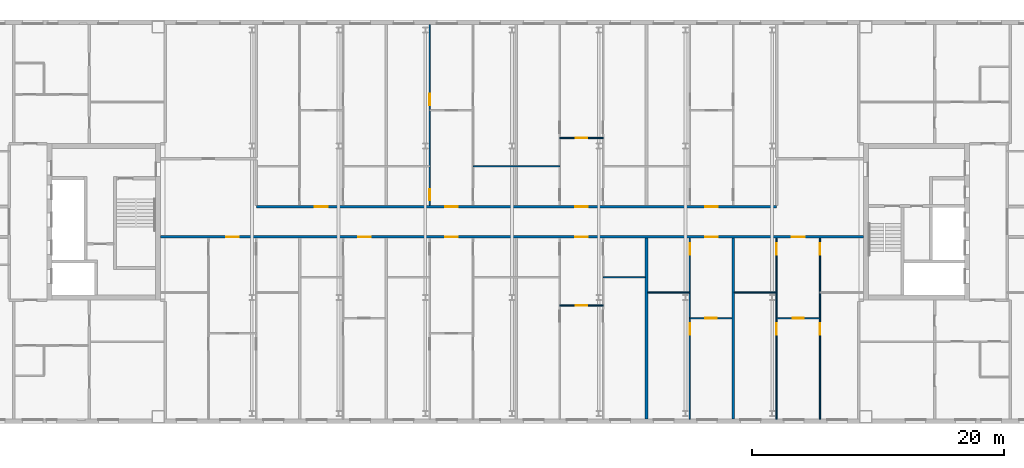
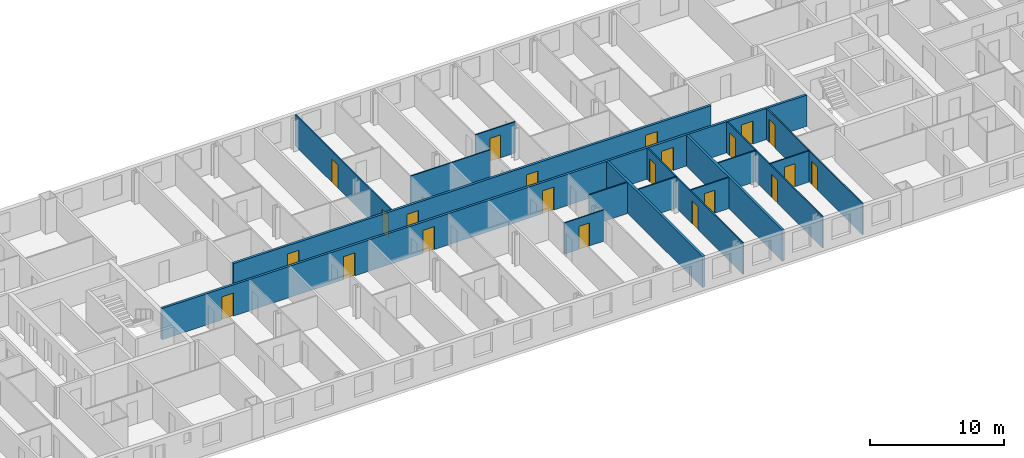
# One storey, part 11 of 19: 22 doors, 16 walls, 22 openings.
"""IFC4 building model written with IfcOpenShell, lengths in metres."""

from ifc_helpers import new_model, si_unit, direction, frame, frame_2d, origin, place, context, subcontext, project, spatial, rectangle, extrude, material, layer, layer_set, type_object, element, fill, save


model = new_model("IFC4")

# Units and contexts
model_context = context("Model", 3, precision=1e-05, world=origin(), true_north=direction((0.0, 1.0)))
body_context = subcontext(model_context, "Body", "Model", "MODEL_VIEW")
ifc_project = project(units=[si_unit("LENGTHUNIT", "METRE"), si_unit("AREAUNIT", "SQUARE_METRE"), si_unit("VOLUMEUNIT", "CUBIC_METRE"), si_unit("PLANEANGLEUNIT", "RADIAN"), si_unit("MASSUNIT", "GRAM", prefix="KILO")], contexts=[model_context])

# Site, building, storey
site_placement = place(None, origin())
site = spatial("IfcSite", under=ifc_project, at=site_placement, CompositionType="ELEMENT")
building_placement = place(site_placement, origin())
building = spatial("IfcBuilding", under=site, at=building_placement, Name="Tuart Gate Housing", CompositionType="ELEMENT")
storey_placement = place(building_placement, frame((0.0, 0.0, 212.10009765625)))
storey = spatial("IfcBuildingStorey", under=building, at=storey_placement, Name="L60", CompositionType="ELEMENT", Elevation=212.10009765625)

# Wall, openings, doors
ifc_material_1 = material(Name="Concrete masonry 15 MPa", Category="masonry")
ifc_layer_1 = layer(ifc_material_1, 0.199951171875)
ifc_layer_set_1 = layer_set([ifc_layer_1], Name="Corridor wall masonry 200")
wall_type_1 = type_object("IfcWallType", Name="Corridor wall masonry 200", PredefinedType="PARTITIONING", material=ifc_layer_set_1)
wall_1_placement = place(storey_placement, frame((75.639892578125, 68.800048828125, 0.0), z_axis=(0.0, 0.0, 1.0), x_axis=(1.0, 0.0, 0.0)))
wall_1 = element("IfcWall", 1, at=wall_1_placement, inside=storey, type_object=wall_type_1, Name="Corridor wall masonry 200", PredefinedType="PARTITIONING", context=body_context, shape_type="SweptSolid", body=[
    extrude(rectangle(XDim=55.72021484375, YDim=0.199951171875, at=frame_2d((27.860107421875, 0.0))), origin(), (0.0, 0.0, 1.0), 2.849853515625),
])
opening_1_placement = place(wall_1_placement, frame((5.19140625, 0.0, 0.0)))
opening_1 = element("IfcOpeningElement", 2, at=opening_1_placement, cuts=wall_1, Name="Opening D2192", PredefinedType="OPENING", context=body_context, shape_type="SweptSolid", body=[
    extrude(rectangle(XDim=1.0, YDim=2.10009765625, at=frame_2d((0.5, 1.050048828125))), frame((0.0, 0.10986328125, 0.0), z_axis=(0.0, -1.0, 0.0), x_axis=(1.0, 0.0, 0.0)), (0.0, 0.0, 1.0), 0.219970703125),
])
opening_2_placement = place(wall_1_placement, frame((15.678466796875, 0.0, 0.0)))
opening_2 = element("IfcOpeningElement", 3, at=opening_2_placement, cuts=wall_1, Name="Opening D2193", PredefinedType="OPENING", context=body_context, shape_type="SweptSolid", body=[
    extrude(rectangle(XDim=1.0, YDim=2.10009765625, at=frame_2d((0.5, 1.050048828125))), frame((0.0, 0.10986328125, 0.0), z_axis=(0.0, -1.0, 0.0), x_axis=(1.0, 0.0, 0.0)), (0.0, 0.0, 1.0), 0.219970703125),
])
opening_3_placement = place(wall_1_placement, frame((22.553466796875, 0.0, 0.0)))
opening_3 = element("IfcOpeningElement", 4, at=opening_3_placement, cuts=wall_1, Name="Opening D2194", PredefinedType="OPENING", context=body_context, shape_type="SweptSolid", body=[
    extrude(rectangle(XDim=1.0, YDim=2.10009765625, at=frame_2d((0.5, 1.050048828125))), frame((0.0, 0.10986328125, 0.0), z_axis=(0.0, -1.0, 0.0), x_axis=(1.0, 0.0, 0.0)), (0.0, 0.0, 1.0), 0.219970703125),
])
opening_4_placement = place(wall_1_placement, frame((32.865966796875, 0.0, 0.0)))
opening_4 = element("IfcOpeningElement", 5, at=opening_4_placement, cuts=wall_1, Name="Opening D2195", PredefinedType="OPENING", context=body_context, shape_type="SweptSolid", body=[
    extrude(rectangle(XDim=1.0, YDim=2.10009765625, at=frame_2d((0.5, 1.050048828125))), frame((0.0, 0.10986328125, 0.0), z_axis=(0.0, -1.0, 0.0), x_axis=(1.0, 0.0, 0.0)), (0.0, 0.0, 1.0), 0.219970703125),
])
opening_5_placement = place(wall_1_placement, frame((43.178466796875, 0.0, 0.0)))
opening_5 = element("IfcOpeningElement", 6, at=opening_5_placement, cuts=wall_1, Name="Opening D2196", PredefinedType="OPENING", context=body_context, shape_type="SweptSolid", body=[
    extrude(rectangle(XDim=1.0, YDim=2.10009765625, at=frame_2d((0.5, 1.050048828125))), frame((0.0, 0.10986328125, 0.0), z_axis=(0.0, -1.0, 0.0), x_axis=(1.0, 0.0, 0.0)), (0.0, 0.0, 1.0), 0.219970703125),
])
opening_6_placement = place(wall_1_placement, frame((50.053466796875, 0.0, 0.0)))
opening_6 = element("IfcOpeningElement", 7, at=opening_6_placement, cuts=wall_1, Name="Opening D2197", PredefinedType="OPENING", context=body_context, shape_type="SweptSolid", body=[
    extrude(rectangle(XDim=1.0, YDim=2.10009765625, at=frame_2d((0.5, 1.050048828125))), frame((0.0, 0.10986328125, 0.0), z_axis=(0.0, -1.0, 0.0), x_axis=(1.0, 0.0, 0.0)), (0.0, 0.0, 1.0), 0.219970703125),
])
ifc_material_2 = material(Name="Timber door leaf in steel frame", Category="steel")
door_type_1 = type_object("IfcDoorType", Name="Flat entrance door 1000 RH", OperationType="SINGLE_SWING_RIGHT", PredefinedType="DOOR", material=ifc_material_2)
door_1_placement = place(opening_1_placement, frame((1.0, 0.0, 0.0), z_axis=(0.0, 0.0, 1.0), x_axis=(-1.0, 0.0, 0.0)))
door_1 = element("IfcDoor", 8, at=door_1_placement, inside=storey, type_object=door_type_1, Name="Flat entrance door", OperationType="SINGLE_SWING_RIGHT", OverallHeight=2.10009765625, OverallWidth=1.0, PredefinedType="DOOR", context=body_context, shape_type="SweptSolid", body=[
    extrude(rectangle(XDim=1.0, YDim=2.10009765625, at=frame_2d((0.5, 1.050048828125))), frame((0.0, 0.025146484375, 0.0), z_axis=(0.0, -1.0, 0.0), x_axis=(1.0, 0.0, 0.0)), (0.0, 0.0, 1.0), 0.050048828125),
])
fill(opening_1, door_1)
door_2_placement = place(opening_2_placement, frame((1.0, 0.0, 0.0), z_axis=(0.0, 0.0, 1.0), x_axis=(-1.0, 0.0, 0.0)))
door_2 = element("IfcDoor", 9, at=door_2_placement, inside=storey, type_object=door_type_1, Name="Flat entrance door", OperationType="SINGLE_SWING_RIGHT", OverallHeight=2.10009765625, OverallWidth=1.0, PredefinedType="DOOR", context=body_context, shape_type="SweptSolid", body=[
    extrude(rectangle(XDim=1.0, YDim=2.10009765625, at=frame_2d((0.5, 1.050048828125))), frame((0.0, 0.025146484375, 0.0), z_axis=(0.0, -1.0, 0.0), x_axis=(1.0, 0.0, 0.0)), (0.0, 0.0, 1.0), 0.050048828125),
])
fill(opening_2, door_2)
door_3_placement = place(opening_3_placement, frame((1.0, 0.0, 0.0), z_axis=(0.0, 0.0, 1.0), x_axis=(-1.0, 0.0, 0.0)))
door_3 = element("IfcDoor", 10, at=door_3_placement, inside=storey, type_object=door_type_1, Name="Flat entrance door", OperationType="SINGLE_SWING_RIGHT", OverallHeight=2.10009765625, OverallWidth=1.0, PredefinedType="DOOR", context=body_context, shape_type="SweptSolid", body=[
    extrude(rectangle(XDim=1.0, YDim=2.10009765625, at=frame_2d((0.5, 1.050048828125))), frame((0.0, 0.025146484375, 0.0), z_axis=(0.0, -1.0, 0.0), x_axis=(1.0, 0.0, 0.0)), (0.0, 0.0, 1.0), 0.050048828125),
])
fill(opening_3, door_3)
door_4_placement = place(opening_4_placement, frame((1.0, 0.0, 0.0), z_axis=(0.0, 0.0, 1.0), x_axis=(-1.0, 0.0, 0.0)))
door_4 = element("IfcDoor", 11, at=door_4_placement, inside=storey, type_object=door_type_1, Name="Flat entrance door", OperationType="SINGLE_SWING_RIGHT", OverallHeight=2.10009765625, OverallWidth=1.0, PredefinedType="DOOR", context=body_context, shape_type="SweptSolid", body=[
    extrude(rectangle(XDim=1.0, YDim=2.10009765625, at=frame_2d((0.5, 1.050048828125))), frame((0.0, 0.025146484375, 0.0), z_axis=(0.0, -1.0, 0.0), x_axis=(1.0, 0.0, 0.0)), (0.0, 0.0, 1.0), 0.050048828125),
])
fill(opening_4, door_4)
door_5_placement = place(opening_5_placement, frame((1.0, 0.0, 0.0), z_axis=(0.0, 0.0, 1.0), x_axis=(-1.0, 0.0, 0.0)))
door_5 = element("IfcDoor", 12, at=door_5_placement, inside=storey, type_object=door_type_1, Name="Flat entrance door", OperationType="SINGLE_SWING_RIGHT", OverallHeight=2.10009765625, OverallWidth=1.0, PredefinedType="DOOR", context=body_context, shape_type="SweptSolid", body=[
    extrude(rectangle(XDim=1.0, YDim=2.10009765625, at=frame_2d((0.5, 1.050048828125))), frame((0.0, 0.025146484375, 0.0), z_axis=(0.0, -1.0, 0.0), x_axis=(1.0, 0.0, 0.0)), (0.0, 0.0, 1.0), 0.050048828125),
])
fill(opening_5, door_5)
door_6_placement = place(opening_6_placement, frame((1.0, 0.0, 0.0), z_axis=(0.0, 0.0, 1.0), x_axis=(-1.0, 0.0, 0.0)))
door_6 = element("IfcDoor", 13, at=door_6_placement, inside=storey, type_object=door_type_1, Name="Flat entrance door", OperationType="SINGLE_SWING_RIGHT", OverallHeight=2.10009765625, OverallWidth=1.0, PredefinedType="DOOR", context=body_context, shape_type="SweptSolid", body=[
    extrude(rectangle(XDim=1.0, YDim=2.10009765625, at=frame_2d((0.5, 1.050048828125))), frame((0.0, 0.025146484375, 0.0), z_axis=(0.0, -1.0, 0.0), x_axis=(1.0, 0.0, 0.0)), (0.0, 0.0, 1.0), 0.050048828125),
])
fill(opening_6, door_6)

wall_2_placement = place(storey_placement, frame((83.22509765625, 71.199951171875, 0.0), z_axis=(0.0, 0.0, 1.0), x_axis=(1.0, 0.0, 0.0)))
wall_2 = element("IfcWall", 14, at=wall_2_placement, inside=storey, type_object=wall_type_1, Name="Corridor wall masonry 200", PredefinedType="PARTITIONING", context=body_context, shape_type="SweptSolid", body=[
    extrude(rectangle(XDim=41.25, YDim=0.199951171875, at=frame_2d((20.625, 0.0))), origin(), (0.0, 0.0, 1.0), 2.849853515625),
])
opening_7_placement = place(wall_2_placement, frame((4.656005859375, 0.0, 0.0)))
opening_7 = element("IfcOpeningElement", 15, at=opening_7_placement, cuts=wall_2, Name="Opening D2188", PredefinedType="OPENING", context=body_context, shape_type="SweptSolid", body=[
    extrude(rectangle(XDim=1.0, YDim=2.10009765625, at=frame_2d((0.5, 1.050048828125))), frame((0.0, 0.10986328125, 0.0), z_axis=(0.0, -1.0, 0.0), x_axis=(1.0, 0.0, 0.0)), (0.0, 0.0, 1.0), 0.219970703125),
])
opening_8_placement = place(wall_2_placement, frame((14.968505859375, 0.0, 0.0)))
opening_8 = element("IfcOpeningElement", 16, at=opening_8_placement, cuts=wall_2, Name="Opening D2189", PredefinedType="OPENING", context=body_context, shape_type="SweptSolid", body=[
    extrude(rectangle(XDim=1.0, YDim=2.10009765625, at=frame_2d((0.5, 1.050048828125))), frame((0.0, 0.10986328125, 0.0), z_axis=(0.0, -1.0, 0.0), x_axis=(1.0, 0.0, 0.0)), (0.0, 0.0, 1.0), 0.219970703125),
])
opening_9_placement = place(wall_2_placement, frame((25.281005859375, 0.0, 0.0)))
opening_9 = element("IfcOpeningElement", 17, at=opening_9_placement, cuts=wall_2, Name="Opening D2190", PredefinedType="OPENING", context=body_context, shape_type="SweptSolid", body=[
    extrude(rectangle(XDim=1.0, YDim=2.10009765625, at=frame_2d((0.5, 1.050048828125))), frame((0.0, 0.10986328125, 0.0), z_axis=(0.0, -1.0, 0.0), x_axis=(1.0, 0.0, 0.0)), (0.0, 0.0, 1.0), 0.219970703125),
])
opening_10_placement = place(wall_2_placement, frame((35.593505859375, 0.0, 0.0)))
opening_10 = element("IfcOpeningElement", 18, at=opening_10_placement, cuts=wall_2, Name="Opening D2191", PredefinedType="OPENING", context=body_context, shape_type="SweptSolid", body=[
    extrude(rectangle(XDim=1.0, YDim=2.10009765625, at=frame_2d((0.5, 1.050048828125))), frame((0.0, 0.10986328125, 0.0), z_axis=(0.0, -1.0, 0.0), x_axis=(1.0, 0.0, 0.0)), (0.0, 0.0, 1.0), 0.219970703125),
])
ifc_material_3 = material(Name="Timber door leaf in steel frame", Category="steel")
door_type_2 = type_object("IfcDoorType", Name="Flat entrance door 1000", OperationType="SINGLE_SWING_LEFT", PredefinedType="DOOR", material=ifc_material_3)
door_7_placement = place(opening_7_placement, origin())
door_7 = element("IfcDoor", 19, at=door_7_placement, inside=storey, type_object=door_type_2, Name="Flat entrance door", OperationType="SINGLE_SWING_LEFT", OverallHeight=2.10009765625, OverallWidth=1.0, PredefinedType="DOOR", context=body_context, shape_type="SweptSolid", body=[
    extrude(rectangle(XDim=1.0, YDim=2.10009765625, at=frame_2d((0.5, 1.050048828125))), frame((0.0, 0.02490234375, 0.0), z_axis=(0.0, -1.0, 0.0), x_axis=(1.0, 0.0, 0.0)), (0.0, 0.0, 1.0), 0.050048828125),
])
fill(opening_7, door_7)
door_8_placement = place(opening_8_placement, origin())
door_8 = element("IfcDoor", 20, at=door_8_placement, inside=storey, type_object=door_type_2, Name="Flat entrance door", OperationType="SINGLE_SWING_LEFT", OverallHeight=2.10009765625, OverallWidth=1.0, PredefinedType="DOOR", context=body_context, shape_type="SweptSolid", body=[
    extrude(rectangle(XDim=1.0, YDim=2.10009765625, at=frame_2d((0.5, 1.050048828125))), frame((0.0, 0.02490234375, 0.0), z_axis=(0.0, -1.0, 0.0), x_axis=(1.0, 0.0, 0.0)), (0.0, 0.0, 1.0), 0.050048828125),
])
fill(opening_8, door_8)
door_9_placement = place(opening_9_placement, origin())
door_9 = element("IfcDoor", 21, at=door_9_placement, inside=storey, type_object=door_type_2, Name="Flat entrance door", OperationType="SINGLE_SWING_LEFT", OverallHeight=2.10009765625, OverallWidth=1.0, PredefinedType="DOOR", context=body_context, shape_type="SweptSolid", body=[
    extrude(rectangle(XDim=1.0, YDim=2.10009765625, at=frame_2d((0.5, 1.050048828125))), frame((0.0, 0.02490234375, 0.0), z_axis=(0.0, -1.0, 0.0), x_axis=(1.0, 0.0, 0.0)), (0.0, 0.0, 1.0), 0.050048828125),
])
fill(opening_9, door_9)
door_10_placement = place(opening_10_placement, origin())
door_10 = element("IfcDoor", 22, at=door_10_placement, inside=storey, type_object=door_type_2, Name="Flat entrance door", OperationType="SINGLE_SWING_LEFT", OverallHeight=2.10009765625, OverallWidth=1.0, PredefinedType="DOOR", context=body_context, shape_type="SweptSolid", body=[
    extrude(rectangle(XDim=1.0, YDim=2.10009765625, at=frame_2d((0.5, 1.050048828125))), frame((0.0, 0.02490234375, 0.0), z_axis=(0.0, -1.0, 0.0), x_axis=(1.0, 0.0, 0.0)), (0.0, 0.0, 1.0), 0.050048828125),
])
fill(opening_10, door_10)

# Wall, opening, door
ifc_material_4 = material(Name="Gypsum board on steel studs", Category="steel")
ifc_layer_2 = layer(ifc_material_4, 0.10009765625)
ifc_layer_set_2 = layer_set([ifc_layer_2], Name="Partition 100")
wall_type_2 = type_object("IfcWallType", Name="Partition 100", PredefinedType="PARTITIONING", material=ifc_layer_set_2)
wall_3_placement = place(storey_placement, frame((117.60009765625, 62.360107421875, 0.0), z_axis=(0.0, 0.0, 1.0), x_axis=(1.0, 0.0, 0.0)))
wall_3 = element("IfcWall", 23, at=wall_3_placement, inside=storey, type_object=wall_type_2, Name="Partition 100", PredefinedType="PARTITIONING", context=body_context, shape_type="SweptSolid", body=[
    extrude(rectangle(XDim=3.3369140625, YDim=0.10009765625, at=frame_2d((1.66845703125, 0.0))), origin(), (0.0, 0.0, 1.0), 2.849853515625),
])
opening_11_placement = place(wall_3_placement, frame((1.218505859375, 0.0, 0.0)))
opening_11 = element("IfcOpeningElement", 24, at=opening_11_placement, cuts=wall_3, Name="Opening D2200", PredefinedType="OPENING", context=body_context, shape_type="SweptSolid", body=[
    extrude(rectangle(XDim=0.89990234375, YDim=2.10009765625, at=frame_2d((0.449951171875, 1.050048828125))), frame((0.0, 0.06005859375, 0.0), z_axis=(0.0, -1.0, 0.0), x_axis=(1.0, 0.0, 0.0)), (0.0, 0.0, 1.0), 0.1201171875),
])
ifc_material_5 = material(Name="Timber door leaf in steel frame", Category="steel")
door_type_3 = type_object("IfcDoorType", Name="Internal door 900", OperationType="SINGLE_SWING_LEFT", PredefinedType="DOOR", material=ifc_material_5)
door_11_placement = place(opening_11_placement, origin())
door_11 = element("IfcDoor", 25, at=door_11_placement, inside=storey, type_object=door_type_3, Name="Internal door", OperationType="SINGLE_SWING_LEFT", OverallHeight=2.10009765625, OverallWidth=0.89990234375, PredefinedType="DOOR", context=body_context, shape_type="SweptSolid", body=[
    extrude(rectangle(XDim=0.89990234375, YDim=2.10009765625, at=frame_2d((0.449951171875, 1.050048828125))), frame((0.0, 0.02490234375, 0.0), z_axis=(0.0, -1.0, 0.0), x_axis=(1.0, 0.0, 0.0)), (0.0, 0.0, 1.0), 0.050048828125),
])
fill(opening_11, door_11)

wall_4_placement = place(storey_placement, frame((124.47509765625, 62.360107421875, 0.0), z_axis=(0.0, 0.0, 1.0), x_axis=(1.0, 0.0, 0.0)))
wall_4 = element("IfcWall", 26, at=wall_4_placement, inside=storey, type_object=wall_type_2, Name="Partition 100", PredefinedType="PARTITIONING", context=body_context, shape_type="SweptSolid", body=[
    extrude(rectangle(XDim=3.43701171875, YDim=0.10009765625, at=frame_2d((1.718505859375, 0.0))), origin(), (0.0, 0.0, 1.0), 2.849853515625),
])
opening_12_placement = place(wall_4_placement, frame((1.2685546875, 0.0, 0.0)))
opening_12 = element("IfcOpeningElement", 27, at=opening_12_placement, cuts=wall_4, Name="Opening D2201", PredefinedType="OPENING", context=body_context, shape_type="SweptSolid", body=[
    extrude(rectangle(XDim=0.89990234375, YDim=2.10009765625, at=frame_2d((0.449951171875, 1.050048828125))), frame((0.0, 0.06005859375, 0.0), z_axis=(0.0, -1.0, 0.0), x_axis=(1.0, 0.0, 0.0)), (0.0, 0.0, 1.0), 0.1201171875),
])
door_12_placement = place(opening_12_placement, origin())
door_12 = element("IfcDoor", 28, at=door_12_placement, inside=storey, type_object=door_type_3, Name="Internal door", OperationType="SINGLE_SWING_LEFT", OverallHeight=2.10009765625, OverallWidth=0.89990234375, PredefinedType="DOOR", context=body_context, shape_type="SweptSolid", body=[
    extrude(rectangle(XDim=0.89990234375, YDim=2.10009765625, at=frame_2d((0.449951171875, 1.050048828125))), frame((0.0, 0.02490234375, 0.0), z_axis=(0.0, -1.0, 0.0), x_axis=(1.0, 0.0, 0.0)), (0.0, 0.0, 1.0), 0.050048828125),
])
fill(opening_12, door_12)

wall_5_placement = place(storey_placement, frame((107.287109375, 63.360107421875, 0.0), z_axis=(0.0, 0.0, 1.0), x_axis=(1.0, 0.0, 0.0)))
wall_5 = element("IfcWall", 29, at=wall_5_placement, inside=storey, type_object=wall_type_2, Name="Partition 100", PredefinedType="PARTITIONING", context=body_context, shape_type="SweptSolid", body=[
    extrude(rectangle(XDim=3.43798828125, YDim=0.10009765625, at=frame_2d((1.718994140625, 0.0))), origin(), (0.0, 0.0, 1.0), 2.849853515625),
])
opening_13_placement = place(wall_5_placement, frame((1.26904296875, 0.0, 0.0)))
opening_13 = element("IfcOpeningElement", 30, at=opening_13_placement, cuts=wall_5, Name="Opening D2198", PredefinedType="OPENING", context=body_context, shape_type="SweptSolid", body=[
    extrude(rectangle(XDim=0.89990234375, YDim=2.10009765625, at=frame_2d((0.449951171875, 1.050048828125))), frame((0.0, 0.06005859375, 0.0), z_axis=(0.0, -1.0, 0.0), x_axis=(1.0, 0.0, 0.0)), (0.0, 0.0, 1.0), 0.1201171875),
])
door_13_placement = place(opening_13_placement, origin())
door_13 = element("IfcDoor", 31, at=door_13_placement, inside=storey, type_object=door_type_3, Name="Internal door", OperationType="SINGLE_SWING_LEFT", OverallHeight=2.10009765625, OverallWidth=0.89990234375, PredefinedType="DOOR", context=body_context, shape_type="SweptSolid", body=[
    extrude(rectangle(XDim=0.89990234375, YDim=2.10009765625, at=frame_2d((0.449951171875, 1.050048828125))), frame((0.0, 0.02490234375, 0.0), z_axis=(0.0, -1.0, 0.0), x_axis=(1.0, 0.0, 0.0)), (0.0, 0.0, 1.0), 0.050048828125),
])
fill(opening_13, door_13)

# Walls
for number, where, z_axis, x_axis, name in (
    (32, (114.261962890625, 64.39990234375, 0.0), (0.0, 0.0, 1.0), (1.0, 0.0, 0.0), "Partition 100"),
    (33, (121.136962890625, 64.39990234375, 0.0), (0.0, 0.0, 1.0), (1.0, 0.0, 0.0), "Partition 100"),
):
    element("IfcWall", number, at=place(storey_placement, frame(where, z_axis=z_axis, x_axis=x_axis)), inside=storey, type_object=wall_type_2, Name=name, PredefinedType="PARTITIONING", context=body_context, shape_type="SweptSolid", body=[
        extrude(rectangle(XDim=3.338134765625, YDim=0.10009765625, at=frame_2d((1.6689453125, 0.0))), origin(), (0.0, 0.0, 1.0), 2.849853515625),
    ])
wall_6_placement = place(storey_placement, frame((110.72509765625, 65.60009765625, 0.0), z_axis=(0.0, 0.0, 1.0), x_axis=(1.0, 0.0, 0.0)))
element("IfcWall", 34, at=wall_6_placement, inside=storey, type_object=wall_type_2, Name="Partition 100", PredefinedType="PARTITIONING", context=body_context, shape_type="SweptSolid", body=[
    extrude(rectangle(XDim=3.3369140625, YDim=0.10009765625, at=frame_2d((1.66845703125, 0.0))), origin(), (0.0, 0.0, 1.0), 2.849853515625),
])
wall_7_placement = place(storey_placement, frame((100.412109375, 74.39990234375, 0.0), z_axis=(0.0, 0.0, 1.0), x_axis=(1.0, 0.0, 0.0)))
element("IfcWall", 35, at=wall_7_placement, inside=storey, type_object=wall_type_2, Name="Partition 100", PredefinedType="PARTITIONING", context=body_context, shape_type="SweptSolid", body=[
    extrude(rectangle(XDim=6.875, YDim=0.10009765625, at=frame_2d((3.4375, 0.0))), origin(), (0.0, 0.0, 1.0), 2.849853515625),
])

# Wall, opening, door
wall_8_placement = place(storey_placement, frame((107.287109375, 76.639892578125, 0.0), z_axis=(0.0, 0.0, 1.0), x_axis=(1.0, 0.0, 0.0)))
wall_8 = element("IfcWall", 36, at=wall_8_placement, inside=storey, type_object=wall_type_2, Name="Partition 100", PredefinedType="PARTITIONING", context=body_context, shape_type="SweptSolid", body=[
    extrude(rectangle(XDim=3.43798828125, YDim=0.10009765625, at=frame_2d((1.718994140625, 0.0))), origin(), (0.0, 0.0, 1.0), 2.849853515625),
])
opening_14_placement = place(wall_8_placement, frame((1.26904296875, 0.0, 0.0)))
opening_14 = element("IfcOpeningElement", 37, at=opening_14_placement, cuts=wall_8, Name="Opening D2185", PredefinedType="OPENING", context=body_context, shape_type="SweptSolid", body=[
    extrude(rectangle(XDim=0.89990234375, YDim=2.10009765625, at=frame_2d((0.449951171875, 1.050048828125))), frame((0.0, 0.06005859375, 0.0), z_axis=(0.0, -1.0, 0.0), x_axis=(1.0, 0.0, 0.0)), (0.0, 0.0, 1.0), 0.1201171875),
])
ifc_material_6 = material(Name="Timber door leaf in steel frame", Category="steel")
door_type_4 = type_object("IfcDoorType", Name="Internal door 900 RH", OperationType="SINGLE_SWING_RIGHT", PredefinedType="DOOR", material=ifc_material_6)
door_14_placement = place(opening_14_placement, frame((0.89990234375, 0.0, 0.0), z_axis=(0.0, 0.0, 1.0), x_axis=(-1.0, 0.0, 0.0)))
door_14 = element("IfcDoor", 38, at=door_14_placement, inside=storey, type_object=door_type_4, Name="Internal door", OperationType="SINGLE_SWING_RIGHT", OverallHeight=2.10009765625, OverallWidth=0.89990234375, PredefinedType="DOOR", context=body_context, shape_type="SweptSolid", body=[
    extrude(rectangle(XDim=0.89990234375, YDim=2.10009765625, at=frame_2d((0.449951171875, 1.050048828125))), frame((0.0, 0.025146484375, 0.0), z_axis=(0.0, -1.0, 0.0), x_axis=(1.0, 0.0, 0.0)), (0.0, 0.0, 1.0), 0.050048828125),
])
fill(opening_14, door_14)

# Wall, openings, doors
wall_9_placement = place(storey_placement, frame((96.97509765625, 71.300048828125, 0.0), z_axis=(0.0, 0.0, 1.0), x_axis=(0.0, 1.0, 0.0)))
wall_9 = element("IfcWall", 39, at=wall_9_placement, inside=storey, type_object=wall_type_2, Name="Partition 100", PredefinedType="PARTITIONING", context=body_context, shape_type="SweptSolid", body=[
    extrude(rectangle(XDim=14.33984375, YDim=0.10009765625, at=frame_2d((7.169921875, 0.0))), origin(), (0.0, 0.0, 1.0), 2.849853515625),
])
opening_15_placement = place(wall_9_placement, frame((7.93994140625, 0.0, 0.0)))
opening_15 = element("IfcOpeningElement", 40, at=opening_15_placement, cuts=wall_9, Name="Opening D2174", PredefinedType="OPENING", context=body_context, shape_type="SweptSolid", body=[
    extrude(rectangle(XDim=0.89990234375, YDim=2.10009765625, at=frame_2d((0.449951171875, 1.050048828125))), frame((0.0, 0.06005859375, 0.0), z_axis=(0.0, -1.0, 0.0), x_axis=(1.0, 0.0, 0.0)), (0.0, 0.0, 1.0), 0.1201171875),
])
opening_16_placement = place(wall_9_placement, frame((0.39990234375, 0.0, 0.0)))
opening_16 = element("IfcOpeningElement", 41, at=opening_16_placement, cuts=wall_9, Name="Opening D2173", PredefinedType="OPENING", context=body_context, shape_type="SweptSolid", body=[
    extrude(rectangle(XDim=0.89990234375, YDim=2.10009765625, at=frame_2d((0.449951171875, 1.050048828125))), frame((0.0, 0.06005859375, 0.0), z_axis=(0.0, -1.0, 0.0), x_axis=(1.0, 0.0, 0.0)), (0.0, 0.0, 1.0), 0.1201171875),
])
ifc_material_7 = material(Name="Timber door leaf in steel frame", Category="steel")
door_type_5 = type_object("IfcDoorType", Name="Bathroom door 900", OperationType="SINGLE_SWING_LEFT", PredefinedType="DOOR", material=ifc_material_7)
door_15_placement = place(opening_16_placement, origin())
door_15 = element("IfcDoor", 42, at=door_15_placement, inside=storey, type_object=door_type_5, Name="Bathroom door", OperationType="SINGLE_SWING_LEFT", OverallHeight=2.10009765625, OverallWidth=0.89990234375, PredefinedType="DOOR", context=body_context, shape_type="SweptSolid", body=[
    extrude(rectangle(XDim=0.89990234375, YDim=2.10009765625, at=frame_2d((0.449951171875, 1.050048828125))), frame((0.0, 0.02490234375, 0.0), z_axis=(0.0, -1.0, 0.0), x_axis=(1.0, 0.0, 0.0)), (0.0, 0.0, 1.0), 0.050048828125),
])
fill(opening_16, door_15)
door_16_placement = place(opening_15_placement, origin())
door_16 = element("IfcDoor", 43, at=door_16_placement, inside=storey, type_object=door_type_3, Name="Internal door", OperationType="SINGLE_SWING_LEFT", OverallHeight=2.10009765625, OverallWidth=0.89990234375, PredefinedType="DOOR", context=body_context, shape_type="SweptSolid", body=[
    extrude(rectangle(XDim=0.89990234375, YDim=2.10009765625, at=frame_2d((0.449951171875, 1.050048828125))), frame((0.0, 0.02490234375, 0.0), z_axis=(0.0, -1.0, 0.0), x_axis=(1.0, 0.0, 0.0)), (0.0, 0.0, 1.0), 0.050048828125),
])
fill(opening_15, door_16)

wall_10_placement = place(storey_placement, frame((117.60009765625, 54.360107421875, 0.0), z_axis=(0.0, 0.0, 1.0), x_axis=(0.0, 1.0, 0.0)))
wall_10 = element("IfcWall", 44, at=wall_10_placement, inside=storey, type_object=wall_type_2, Name="Partition 100", PredefinedType="PARTITIONING", context=body_context, shape_type="SweptSolid", body=[
    extrude(rectangle(XDim=14.33984375, YDim=0.10009765625, at=frame_2d((7.169921875, 0.0))), origin(), (0.0, 0.0, 1.0), 2.849853515625),
])
opening_17_placement = place(wall_10_placement, frame((6.699951171875, 0.0, 0.0)))
opening_17 = element("IfcOpeningElement", 45, at=opening_17_placement, cuts=wall_10, Name="Opening D2217", PredefinedType="OPENING", context=body_context, shape_type="SweptSolid", body=[
    extrude(rectangle(XDim=0.89990234375, YDim=2.10009765625, at=frame_2d((0.449951171875, 1.050048828125))), frame((0.0, 0.06005859375, 0.0), z_axis=(0.0, -1.0, 0.0), x_axis=(1.0, 0.0, 0.0)), (0.0, 0.0, 1.0), 0.1201171875),
])
opening_18_placement = place(wall_10_placement, frame((13.0400390625, 0.0, 0.0)))
opening_18 = element("IfcOpeningElement", 46, at=opening_18_placement, cuts=wall_10, Name="Opening D2216", PredefinedType="OPENING", context=body_context, shape_type="SweptSolid", body=[
    extrude(rectangle(XDim=0.89990234375, YDim=2.10009765625, at=frame_2d((0.449951171875, 1.050048828125))), frame((0.0, 0.06005859375, 0.0), z_axis=(0.0, -1.0, 0.0), x_axis=(1.0, 0.0, 0.0)), (0.0, 0.0, 1.0), 0.1201171875),
])
ifc_material_8 = material(Name="Timber door leaf in steel frame", Category="steel")
door_type_6 = type_object("IfcDoorType", Name="Bathroom door 900 RH", OperationType="SINGLE_SWING_RIGHT", PredefinedType="DOOR", material=ifc_material_8)
door_17_placement = place(opening_18_placement, origin())
door_17 = element("IfcDoor", 47, at=door_17_placement, inside=storey, type_object=door_type_6, Name="Bathroom door", OperationType="SINGLE_SWING_RIGHT", OverallHeight=2.10009765625, OverallWidth=0.89990234375, PredefinedType="DOOR", context=body_context, shape_type="SweptSolid", body=[
    extrude(rectangle(XDim=0.89990234375, YDim=2.10009765625, at=frame_2d((0.449951171875, 1.050048828125))), frame((0.0, 0.02490234375, 0.0), z_axis=(0.0, -1.0, 0.0), x_axis=(1.0, 0.0, 0.0)), (0.0, 0.0, 1.0), 0.050048828125),
])
fill(opening_18, door_17)
door_18_placement = place(opening_17_placement, origin())
door_18 = element("IfcDoor", 48, at=door_18_placement, inside=storey, type_object=door_type_4, Name="Internal door", OperationType="SINGLE_SWING_RIGHT", OverallHeight=2.10009765625, OverallWidth=0.89990234375, PredefinedType="DOOR", context=body_context, shape_type="SweptSolid", body=[
    extrude(rectangle(XDim=0.89990234375, YDim=2.10009765625, at=frame_2d((0.449951171875, 1.050048828125))), frame((0.0, 0.02490234375, 0.0), z_axis=(0.0, -1.0, 0.0), x_axis=(1.0, 0.0, 0.0)), (0.0, 0.0, 1.0), 0.050048828125),
])
fill(opening_17, door_18)

wall_11_placement = place(storey_placement, frame((124.47509765625, 54.360107421875, 0.0), z_axis=(0.0, 0.0, 1.0), x_axis=(0.0, 1.0, 0.0)))
wall_11 = element("IfcWall", 49, at=wall_11_placement, inside=storey, type_object=wall_type_2, Name="Partition 100", PredefinedType="PARTITIONING", context=body_context, shape_type="SweptSolid", body=[
    extrude(rectangle(XDim=14.33984375, YDim=0.10009765625, at=frame_2d((7.169921875, 0.0))), origin(), (0.0, 0.0, 1.0), 2.849853515625),
])
opening_19_placement = place(wall_11_placement, frame((6.699951171875, 0.0, 0.0)))
opening_19 = element("IfcOpeningElement", 50, at=opening_19_placement, cuts=wall_11, Name="Opening D2219", PredefinedType="OPENING", context=body_context, shape_type="SweptSolid", body=[
    extrude(rectangle(XDim=0.89990234375, YDim=2.10009765625, at=frame_2d((0.449951171875, 1.050048828125))), frame((0.0, 0.06005859375, 0.0), z_axis=(0.0, -1.0, 0.0), x_axis=(1.0, 0.0, 0.0)), (0.0, 0.0, 1.0), 0.1201171875),
])
opening_20_placement = place(wall_11_placement, frame((13.0400390625, 0.0, 0.0)))
opening_20 = element("IfcOpeningElement", 51, at=opening_20_placement, cuts=wall_11, Name="Opening D2218", PredefinedType="OPENING", context=body_context, shape_type="SweptSolid", body=[
    extrude(rectangle(XDim=0.89990234375, YDim=2.10009765625, at=frame_2d((0.449951171875, 1.050048828125))), frame((0.0, 0.06005859375, 0.0), z_axis=(0.0, -1.0, 0.0), x_axis=(1.0, 0.0, 0.0)), (0.0, 0.0, 1.0), 0.1201171875),
])
door_19_placement = place(opening_20_placement, origin())
door_19 = element("IfcDoor", 52, at=door_19_placement, inside=storey, type_object=door_type_6, Name="Bathroom door", OperationType="SINGLE_SWING_RIGHT", OverallHeight=2.10009765625, OverallWidth=0.89990234375, PredefinedType="DOOR", context=body_context, shape_type="SweptSolid", body=[
    extrude(rectangle(XDim=0.89990234375, YDim=2.10009765625, at=frame_2d((0.449951171875, 1.050048828125))), frame((0.0, 0.02490234375, 0.0), z_axis=(0.0, -1.0, 0.0), x_axis=(1.0, 0.0, 0.0)), (0.0, 0.0, 1.0), 0.050048828125),
])
fill(opening_20, door_19)
door_20_placement = place(opening_19_placement, origin())
door_20 = element("IfcDoor", 53, at=door_20_placement, inside=storey, type_object=door_type_4, Name="Internal door", OperationType="SINGLE_SWING_RIGHT", OverallHeight=2.10009765625, OverallWidth=0.89990234375, PredefinedType="DOOR", context=body_context, shape_type="SweptSolid", body=[
    extrude(rectangle(XDim=0.89990234375, YDim=2.10009765625, at=frame_2d((0.449951171875, 1.050048828125))), frame((0.0, 0.02490234375, 0.0), z_axis=(0.0, -1.0, 0.0), x_axis=(1.0, 0.0, 0.0)), (0.0, 0.0, 1.0), 0.050048828125),
])
fill(opening_19, door_20)

wall_12_placement = place(storey_placement, frame((127.912109375, 54.360107421875, 0.0), z_axis=(0.0, 0.0, 1.0), x_axis=(0.0, 1.0, 0.0)))
wall_12 = element("IfcWall", 54, at=wall_12_placement, inside=storey, type_object=wall_type_2, Name="Partition 100", PredefinedType="PARTITIONING", context=body_context, shape_type="SweptSolid", body=[
    extrude(rectangle(XDim=14.33984375, YDim=0.10009765625, at=frame_2d((7.169921875, 0.0))), origin(), (0.0, 0.0, 1.0), 2.849853515625),
])
opening_21_placement = place(wall_12_placement, frame((6.699951171875, 0.0, 0.0)))
opening_21 = element("IfcOpeningElement", 55, at=opening_21_placement, cuts=wall_12, Name="Opening D2221", PredefinedType="OPENING", context=body_context, shape_type="SweptSolid", body=[
    extrude(rectangle(XDim=0.89990234375, YDim=2.10009765625, at=frame_2d((0.449951171875, 1.050048828125))), frame((0.0, 0.06005859375, 0.0), z_axis=(0.0, -1.0, 0.0), x_axis=(1.0, 0.0, 0.0)), (0.0, 0.0, 1.0), 0.1201171875),
])
opening_22_placement = place(wall_12_placement, frame((13.0400390625, 0.0, 0.0)))
opening_22 = element("IfcOpeningElement", 56, at=opening_22_placement, cuts=wall_12, Name="Opening D2220", PredefinedType="OPENING", context=body_context, shape_type="SweptSolid", body=[
    extrude(rectangle(XDim=0.89990234375, YDim=2.10009765625, at=frame_2d((0.449951171875, 1.050048828125))), frame((0.0, 0.06005859375, 0.0), z_axis=(0.0, -1.0, 0.0), x_axis=(1.0, 0.0, 0.0)), (0.0, 0.0, 1.0), 0.1201171875),
])
door_21_placement = place(opening_22_placement, frame((0.89990234375, 0.0, 0.0), z_axis=(0.0, 0.0, 1.0), x_axis=(-1.0, 0.0, 0.0)))
door_21 = element("IfcDoor", 57, at=door_21_placement, inside=storey, type_object=door_type_5, Name="Bathroom door", OperationType="SINGLE_SWING_LEFT", OverallHeight=2.10009765625, OverallWidth=0.89990234375, PredefinedType="DOOR", context=body_context, shape_type="SweptSolid", body=[
    extrude(rectangle(XDim=0.89990234375, YDim=2.10009765625, at=frame_2d((0.449951171875, 1.050048828125))), frame((0.0, 0.025146484375, 0.0), z_axis=(0.0, -1.0, 0.0), x_axis=(1.0, 0.0, 0.0)), (0.0, 0.0, 1.0), 0.050048828125),
])
fill(opening_22, door_21)
door_22_placement = place(opening_21_placement, frame((0.89990234375, 0.0, 0.0), z_axis=(0.0, 0.0, 1.0), x_axis=(-1.0, 0.0, 0.0)))
door_22 = element("IfcDoor", 58, at=door_22_placement, inside=storey, type_object=door_type_3, Name="Internal door", OperationType="SINGLE_SWING_LEFT", OverallHeight=2.10009765625, OverallWidth=0.89990234375, PredefinedType="DOOR", context=body_context, shape_type="SweptSolid", body=[
    extrude(rectangle(XDim=0.89990234375, YDim=2.10009765625, at=frame_2d((0.449951171875, 1.050048828125))), frame((0.0, 0.025146484375, 0.0), z_axis=(0.0, -1.0, 0.0), x_axis=(1.0, 0.0, 0.0)), (0.0, 0.0, 1.0), 0.050048828125),
])
fill(opening_21, door_22)

# Walls
ifc_material_9 = material(Name="Concrete masonry 15 MPa", Category="masonry")
ifc_layer_3 = layer(ifc_material_9, 0.199951171875)
ifc_layer_set_3 = layer_set([ifc_layer_3], Name="Party wall masonry 200")
wall_type_3 = type_object("IfcWallType", Name="Party wall masonry 200", PredefinedType="PARTITIONING", material=ifc_layer_set_3)
for number, where, z_axis, x_axis, name in (
    (59, (114.162109375, 54.360107421875, 0.0), (0.0, 0.0, 1.0), (0.0, 1.0, 0.0), "Party wall masonry 200"),
    (60, (121.037109375, 54.360107421875, 0.0), (0.0, 0.0, 1.0), (0.0, 1.0, 0.0), "Party wall masonry 200"),
):
    element("IfcWall", number, at=place(storey_placement, frame(where, z_axis=z_axis, x_axis=x_axis)), inside=storey, type_object=wall_type_3, Name=name, PredefinedType="PARTITIONING", context=body_context, shape_type="SweptSolid", body=[
        extrude(rectangle(XDim=14.33984375, YDim=0.199951171875, at=frame_2d((7.169921875, 0.0))), origin(), (0.0, 0.0, 1.0), 2.849853515625),
    ])

save(model, "model.ifc")
